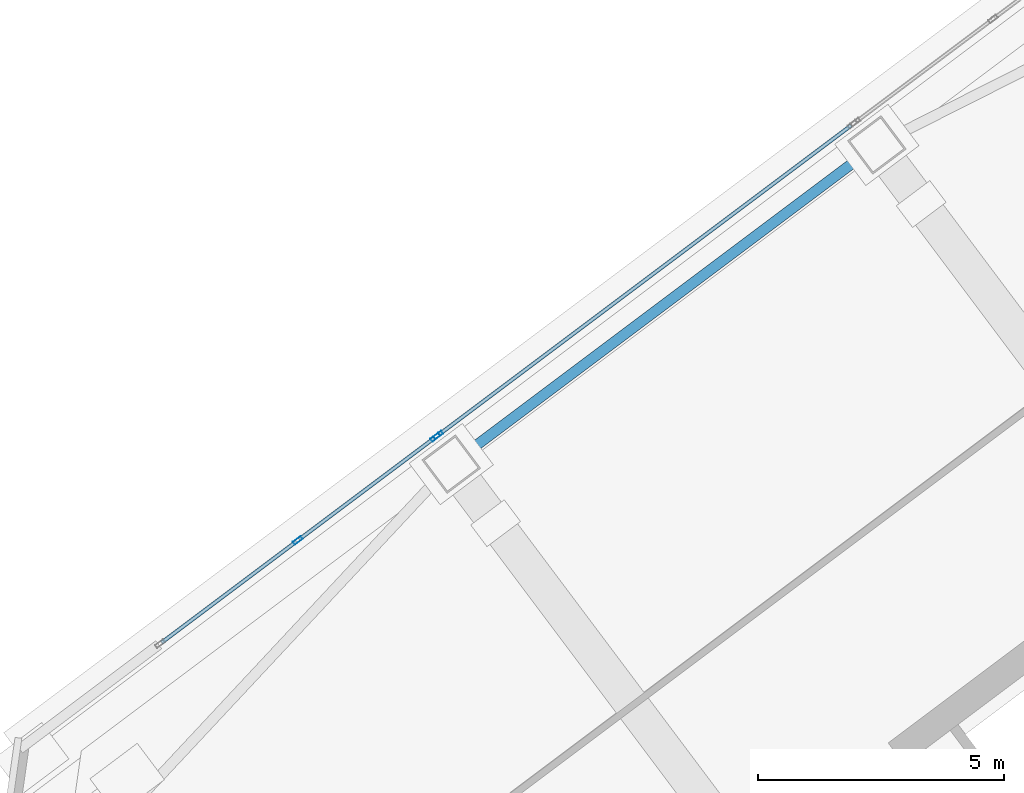
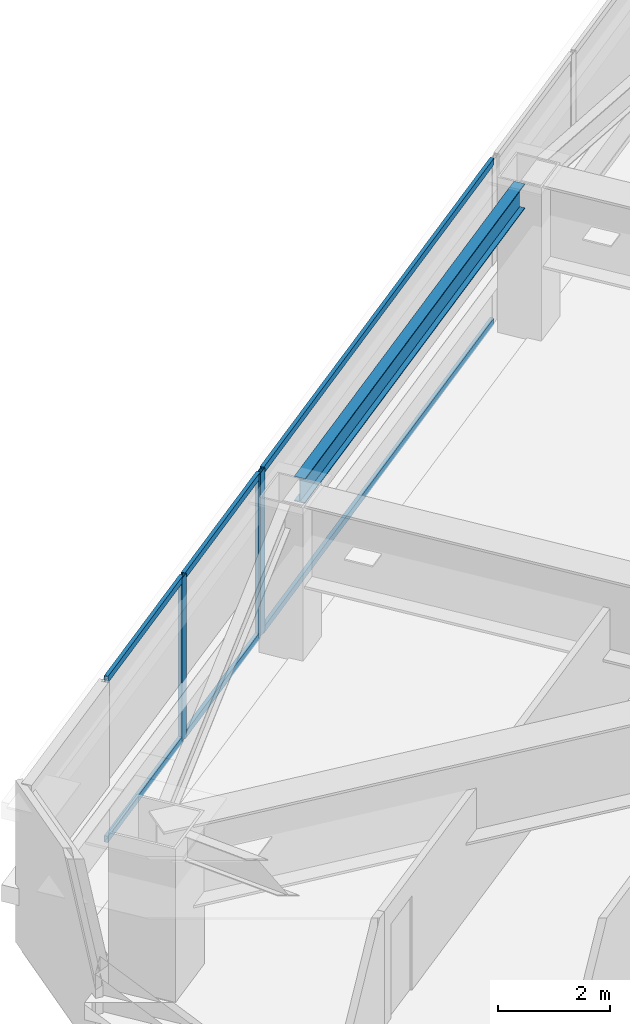
# One storey, part 26 of 42: 9 members, 1 beam, 2 elements without a shape of their own.
"""IFC4 building model written with IfcOpenShell, lengths in metres."""

from ifc_helpers import new_model, si_unit, direction, frame, origin, origin_2d, place, context, subcontext, project, spatial, hollow_rectangle, i_section, extrude, material, material_profile, profile_set, type_object, element, aggregate, save


model = new_model("IFC4")

# Units and contexts
model_context = context("Model", 3, precision=1e-05, world=origin(), true_north=direction((0.0, 1.0)))
body_context = subcontext(model_context, "Body", "Model", "MODEL_VIEW")
ifc_project = project(units=[si_unit("LENGTHUNIT", "METRE"), si_unit("AREAUNIT", "SQUARE_METRE"), si_unit("VOLUMEUNIT", "CUBIC_METRE"), si_unit("PLANEANGLEUNIT", "RADIAN"), si_unit("MASSUNIT", "GRAM", prefix="KILO")], contexts=[model_context])

# Site, building, storey
site_placement = place(None, origin())
site = spatial("IfcSite", under=ifc_project, at=site_placement, CompositionType="ELEMENT")
building_placement = place(site_placement, origin())
building = spatial("IfcBuilding", under=site, at=building_placement, Name="Tashvorn Skyway Center", CompositionType="ELEMENT")
storey_placement = place(building_placement, frame((0.0, 0.0, 153.449951171875)))
storey = spatial("IfcBuildingStorey", under=building, at=storey_placement, Name="L41", CompositionType="ELEMENT", Elevation=153.449951171875)

# Beam
ifc_material_1 = material(Name="Steel ASTM A992 Grade 50", Category="steel")
ifc_material_profile_1 = material_profile(ifc_material_1, i_section(OverallWidth=0.2109375, OverallDepth=0.5390625, WebThickness=0.01171875, FlangeThickness=0.018798828125, at=origin_2d()), Name="W21X73")
ifc_profile_set_1 = profile_set([ifc_material_profile_1], Name="Steel ASTM A992 Grade 50")
beam_type = type_object("IfcBeamType", Name="BM-SPANDREL-W21X73", PredefinedType="SPANDREL", material=ifc_profile_set_1)
beam_placement = place(storey_placement, frame((107.39404296875, 49.10791015625, 3.1005859375), z_axis=(-0.800008824351, -0.599988234018, 0.0), x_axis=(0.599988234018, -0.800008824351, 0.0)))
element("IfcBeam", 1, at=beam_placement, inside=storey, type_object=beam_type, Name="Tower 2 L41 Spandrel Beam 08", PredefinedType="SPANDREL", context=body_context, shape_type="SweptSolid", body=[
    extrude(i_section(OverallWidth=0.2109375, OverallDepth=0.5390625, WebThickness=0.01171875, FlangeThickness=0.018798828125, at=origin_2d()), origin(), (0.0, 0.0, 1.0), 9.9599609375),
])

# Curtain wall, members
ifc_material_2 = material(Name="Thermally broken bronze-anodized aluminium 6063-T6", Category="aluminium")
curtain_wall_type = type_object("IfcCurtainWallType", Name="CW-CW-Z3", PredefinedType="NOTDEFINED", material=ifc_material_2)
curtain_wall_1_placement = place(storey_placement, origin())
curtain_wall_1 = element("IfcCurtainWall", 2, at=curtain_wall_1_placement, inside=storey, type_object=curtain_wall_type, Name="Tower 2 L41 North Unitised Curtain Wall Glazing Group 1", PredefinedType="NOTDEFINED")
ifc_material_profile_2 = material_profile(ifc_material_2, hollow_rectangle(XDim=0.074951171875, YDim=0.199951171875, WallThickness=0.00439453125, at=origin_2d()), Name="ALU-MULL-75x200")
ifc_profile_set_2 = profile_set([ifc_material_profile_2], Name="Thermally broken bronze-anodized aluminium 6063-T6")
member_type_1 = type_object("IfcMemberType", Name="CWM-CW-Z3", PredefinedType="MULLION", material=ifc_profile_set_2)
member_1_placement = place(storey_placement, frame((95.97412109375, 41.33056640625, 0.0), z_axis=(0.0, 0.0, 1.0), x_axis=(-0.600004533995, 0.799996599484, 0.0)))
member_1 = element("IfcMember", 3, at=member_1_placement, type_object=member_type_1, Name="CW-Z3 mullion 2", PredefinedType="MULLION", context=body_context, shape_type="SweptSolid", body=[
    extrude(hollow_rectangle(XDim=0.074951171875, YDim=0.199951171875, WallThickness=0.00439453125, at=origin_2d()), origin(), (0.0, 0.0, 1.0), 3.550048828125),
])
member_2_placement = place(storey_placement, frame((98.767333984375, 43.425537109375, 0.0), z_axis=(0.0, 0.0, 1.0), x_axis=(-0.600004533995, 0.799996599484, 0.0)))
member_2 = element("IfcMember", 4, at=member_2_placement, type_object=member_type_1, Name="CW-Z3 mullion 3", PredefinedType="MULLION", context=body_context, shape_type="SweptSolid", body=[
    extrude(hollow_rectangle(XDim=0.074951171875, YDim=0.199951171875, WallThickness=0.00439453125, at=origin_2d()), origin(), (0.0, 0.0, 1.0), 3.550048828125),
])

# Curtain wall, member
curtain_wall_2_placement = place(storey_placement, origin())
curtain_wall_2 = element("IfcCurtainWall", 5, at=curtain_wall_2_placement, inside=storey, type_object=curtain_wall_type, Name="Tower 2 L41 North Unitised Curtain Wall Glazing Group 2", PredefinedType="NOTDEFINED")
member_3_placement = place(storey_placement, frame((98.827392578125, 43.470458984375, 0.0), z_axis=(0.0, 0.0, 1.0), x_axis=(-0.599996977339, 0.800002266987, 0.0)))
member_3 = element("IfcMember", 6, at=member_3_placement, type_object=member_type_1, Name="CW-Z3 mullion 1", PredefinedType="MULLION", context=body_context, shape_type="SweptSolid", body=[
    extrude(hollow_rectangle(XDim=0.074951171875, YDim=0.199951171875, WallThickness=0.00439453125, at=origin_2d()), origin(), (0.0, 0.0, 1.0), 3.550048828125),
])

# Member
ifc_material_profile_3 = material_profile(ifc_material_2, hollow_rectangle(XDim=0.074951171875, YDim=0.139892578125, WallThickness=0.004150390625, at=origin_2d()), Name="ALU-TRAN-75x140")
ifc_profile_set_3 = profile_set([ifc_material_profile_3], Name="Thermally broken bronze-anodized aluminium 6063-T6")
member_type_2 = type_object("IfcMemberType", Name="CWT-CW-Z3", PredefinedType="USERDEFINED", material=ifc_profile_set_3)
member_4_placement = place(storey_placement, frame((93.211181640625, 39.25830078125, 0.03759765625), z_axis=(0.799982847995, 0.600022868659, 0.0), x_axis=(-0.600022868659, 0.799982847995, 0.0)))
member_4 = element("IfcMember", 7, at=member_4_placement, type_object=member_type_2, Name="CW-Z3 transom 1.1", ObjectType="TRANSOM", PredefinedType="USERDEFINED", context=body_context, shape_type="SweptSolid", body=[
    extrude(hollow_rectangle(XDim=0.074951171875, YDim=0.139892578125, WallThickness=0.004150390625, at=origin_2d()), origin(), (0.0, 0.0, 1.0), 3.416259765625),
])

member_5_placement = place(storey_placement, frame((93.211181640625, 39.25830078125, 3.512451171875), z_axis=(0.799982847995, 0.600022868659, 0.0), x_axis=(-0.600022868659, 0.799982847995, 0.0)))
member_5 = element("IfcMember", 8, at=member_5_placement, type_object=member_type_2, Name="CW-Z3 transom 1.2", ObjectType="TRANSOM", PredefinedType="USERDEFINED", context=body_context, shape_type="SweptSolid", body=[
    extrude(hollow_rectangle(XDim=0.074951171875, YDim=0.139892578125, WallThickness=0.004150390625, at=origin_2d()), origin(), (0.0, 0.0, 1.0), 3.416259765625),
])

member_6_placement = place(storey_placement, frame((96.004150390625, 41.353271484375, 0.03759765625), z_axis=(0.800008575267, 0.59998856614, 0.0), x_axis=(-0.59998856614, 0.800008575267, 0.0)))
member_6 = element("IfcMember", 9, at=member_6_placement, type_object=member_type_2, Name="CW-Z3 transom 2.1", ObjectType="TRANSOM", PredefinedType="USERDEFINED", context=body_context, shape_type="SweptSolid", body=[
    extrude(hollow_rectangle(XDim=0.074951171875, YDim=0.139892578125, WallThickness=0.004150390625, at=origin_2d()), origin(), (0.0, 0.0, 1.0), 3.41650390625),
])

member_7_placement = place(storey_placement, frame((96.004150390625, 41.353271484375, 3.512451171875), z_axis=(0.800008575267, 0.59998856614, 0.0), x_axis=(-0.59998856614, 0.800008575267, 0.0)))
member_7 = element("IfcMember", 10, at=member_7_placement, type_object=member_type_2, Name="CW-Z3 transom 2.2", ObjectType="TRANSOM", PredefinedType="USERDEFINED", context=body_context, shape_type="SweptSolid", body=[
    extrude(hollow_rectangle(XDim=0.074951171875, YDim=0.139892578125, WallThickness=0.004150390625, at=origin_2d()), origin(), (0.0, 0.0, 1.0), 3.41650390625),
])

aggregate(curtain_wall_1, [member_1, member_2, member_4, member_5, member_6, member_7])

member_8_placement = place(storey_placement, frame((98.857421875, 43.492919921875, 0.03759765625), z_axis=(0.800002807101, 0.599996257181, 0.0), x_axis=(-0.599996257181, 0.800002807101, 0.0)))
member_8 = element("IfcMember", 11, at=member_8_placement, type_object=member_type_2, Name="CW-Z3 transom 1.1", ObjectType="TRANSOM", PredefinedType="USERDEFINED", context=body_context, shape_type="SweptSolid", body=[
    extrude(hollow_rectangle(XDim=0.074951171875, YDim=0.139892578125, WallThickness=0.004150390625, at=origin_2d()), origin(), (0.0, 0.0, 1.0), 10.436767578125),
])

member_9_placement = place(storey_placement, frame((98.857421875, 43.492919921875, 3.512451171875), z_axis=(0.800002807101, 0.599996257181, 0.0), x_axis=(-0.599996257181, 0.800002807101, 0.0)))
member_9 = element("IfcMember", 12, at=member_9_placement, type_object=member_type_2, Name="CW-Z3 transom 1.2", ObjectType="TRANSOM", PredefinedType="USERDEFINED", context=body_context, shape_type="SweptSolid", body=[
    extrude(hollow_rectangle(XDim=0.074951171875, YDim=0.139892578125, WallThickness=0.004150390625, at=origin_2d()), origin(), (0.0, 0.0, 1.0), 10.436767578125),
])

aggregate(curtain_wall_2, [member_3, member_8, member_9])

save(model, "model.ifc")
